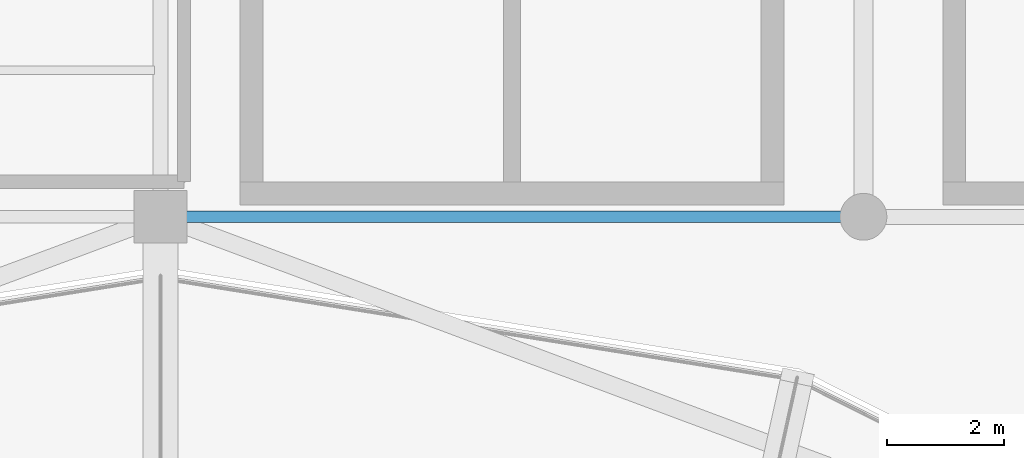
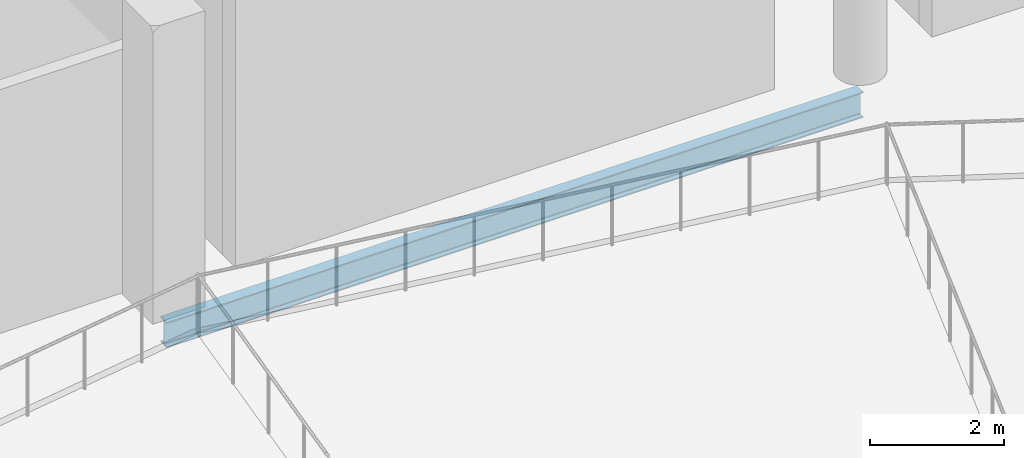
# One storey, part 22 of 74: 1 beam.
"""IFC4 building model written with IfcOpenShell, lengths in metres."""

from ifc_helpers import new_model, si_unit, direction, frame, origin, origin_2d, place, context, subcontext, project, spatial, i_section, extrude, material, material_profile, profile_set, type_object, element, save


model = new_model("IFC4")

# Units and contexts
model_context = context("Model", 3, precision=1e-05, world=origin(), true_north=direction((0.0, 1.0)))
body_context = subcontext(model_context, "Body", "Model", "MODEL_VIEW")
ifc_project = project(units=[si_unit("LENGTHUNIT", "METRE"), si_unit("AREAUNIT", "SQUARE_METRE"), si_unit("VOLUMEUNIT", "CUBIC_METRE"), si_unit("PLANEANGLEUNIT", "RADIAN"), si_unit("MASSUNIT", "GRAM", prefix="KILO")], contexts=[model_context])

# Site, building, storey
site_placement = place(None, origin())
site = spatial("IfcSite", under=ifc_project, at=site_placement, CompositionType="ELEMENT")
building_placement = place(site_placement, origin())
building = spatial("IfcBuilding", under=site, at=building_placement, Name="Brinegate Civic Arena", CompositionType="ELEMENT")
storey_placement = place(building_placement, frame((0.0, 0.0, 19.199951171875)))
storey = spatial("IfcBuildingStorey", under=building, at=storey_placement, Name="L04", CompositionType="ELEMENT", Elevation=19.199951171875)

# Beam
ifc_material = material(Name="Steel S355", Category="steel")
ifc_material_profile = material_profile(ifc_material, i_section(OverallWidth=0.193115234375, OverallDepth=0.466064453125, WebThickness=0.010986328125, FlangeThickness=0.01904296875, FilletRadius=0.014892578125, at=origin_2d()), Name="W460X97")
ifc_profile_set = profile_set([ifc_material_profile], Name="Steel S355")
beam_type = type_object("IfcBeamType", Name="SPANDREL-W460X97", PredefinedType="SPANDREL", material=ifc_profile_set)
beam_placement = place(storey_placement, frame((108.0, 114.0, -0.572998046875), z_axis=(1.0, 0.0, 0.0), x_axis=(0.0, 1.0, 0.0)))
element("IfcBeam", 1, at=beam_placement, inside=storey, type_object=beam_type, Name="Floor Girder BM-L04-GX-09-11", PredefinedType="SPANDREL", context=body_context, shape_type="SweptSolid", body=[
    extrude(i_section(OverallWidth=0.193115234375, OverallDepth=0.466064453125, WebThickness=0.010986328125, FlangeThickness=0.01904296875, FilletRadius=0.014892578125, at=origin_2d()), origin(), (0.0, 0.0, 1.0), 12.0),
])

save(model, "model.ifc")
